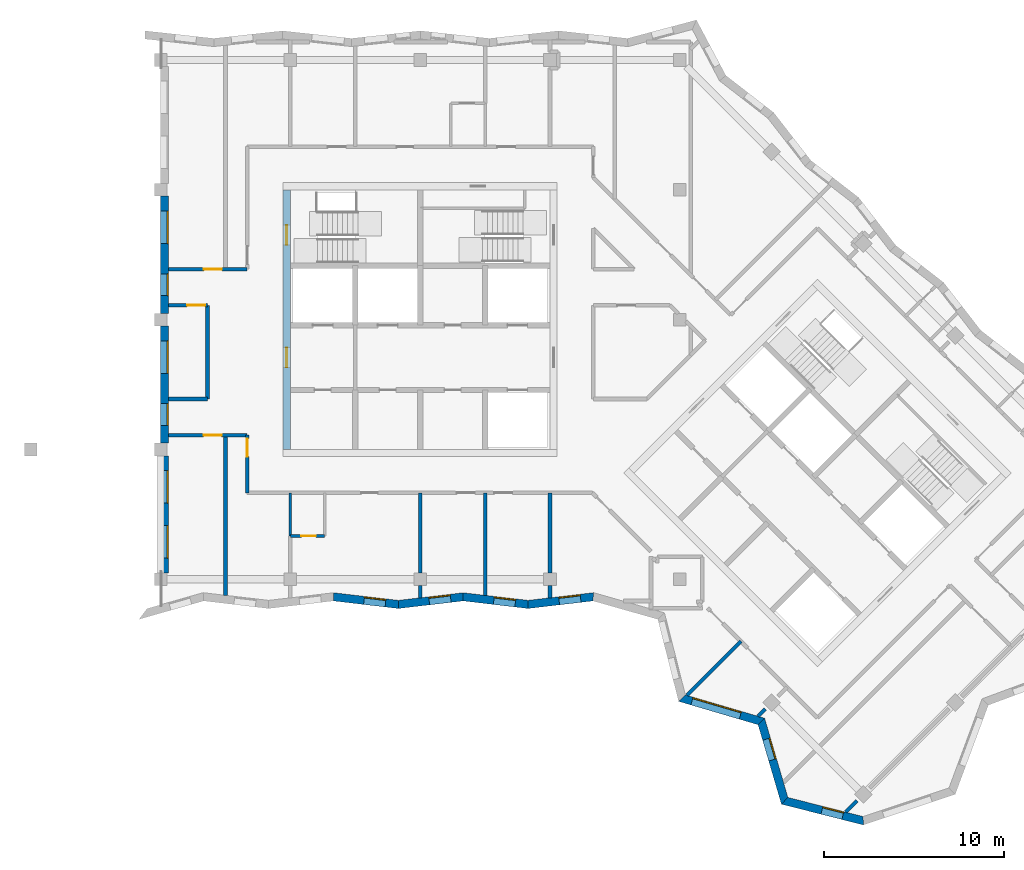
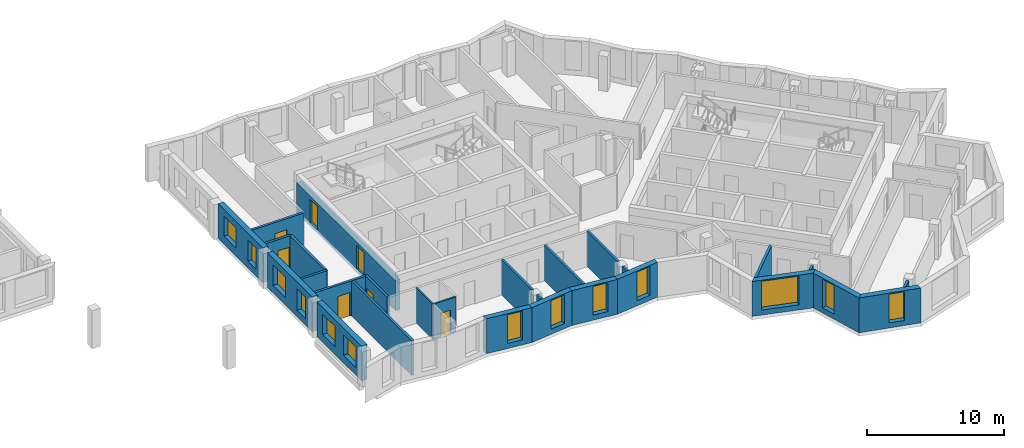
# One storey, part 2 of 12: 28 walls, 13 windows, 7 doors, 20 openings.
"""IFC4 building model written with IfcOpenShell, lengths in metres."""

from ifc_helpers import new_model, si_unit, direction, frame, frame_2d, origin, place, context, subcontext, project, spatial, polyline, rectangle, outline, extrude, material, layer, layer_set, type_object, element, fill, save


model = new_model("IFC4")

# Units and contexts
model_context = context("Model", 3, precision=1e-05, world=origin(), true_north=direction((0.0, 1.0)))
body_context = subcontext(model_context, "Body", "Model", "MODEL_VIEW")
ifc_project = project(units=[si_unit("LENGTHUNIT", "METRE"), si_unit("AREAUNIT", "SQUARE_METRE"), si_unit("VOLUMEUNIT", "CUBIC_METRE"), si_unit("PLANEANGLEUNIT", "RADIAN"), si_unit("MASSUNIT", "GRAM", prefix="KILO")], contexts=[model_context])

# Site, building, storey
site_placement = place(None, origin())
site = spatial("IfcSite", under=ifc_project, at=site_placement, CompositionType="ELEMENT")
building_placement = place(site_placement, origin())
building = spatial("IfcBuilding", under=site, at=building_placement, Name="Windrow Commons", CompositionType="ELEMENT")
storey_placement = place(building_placement, frame((0.0, 0.0, 257.4)))
storey = spatial("IfcBuildingStorey", under=building, at=storey_placement, Name="L70", CompositionType="ELEMENT", Elevation=257.4)

# Wall, opening, window
ifc_material_1 = material(Name="Brick masonry, red clay brick", Category="masonry")
ifc_layer_1 = layer(ifc_material_1, 0.45)
ifc_layer_set_1 = layer_set([ifc_layer_1], Name="Brick facade wall 450")
wall_type_1 = type_object("IfcWallType", Name="Brick facade wall 450", PredefinedType="SOLIDWALL", material=ifc_layer_set_1)
wall_1_placement = place(storey_placement, frame((59.9913, 42.2265, 0.0), z_axis=(0.0, 0.0, 1.0), x_axis=(0.9932209116, -0.1162420782, 0.0)))
wall_1 = element("IfcWall", 1, at=wall_1_placement, inside=storey, type_object=wall_type_1, Name="Brick facade wall L70 41", PredefinedType="SOLIDWALL", context=body_context, shape_type="SweptSolid", body=[
    extrude(outline(polyline([(0.0263, -0.225), (3.648, -0.225), (3.5953, 0.225), (-0.0263, 0.225), (0.0263, -0.225)])), origin(), (0.0, 0.0, 1.0), 3.1),
])
opening_1_placement = place(wall_1_placement, frame((1.7061, 0.0, 0.45)))
opening_1 = element("IfcOpeningElement", 2, at=opening_1_placement, cuts=wall_1, Name="Opening W7F", PredefinedType="OPENING", context=body_context, shape_type="SweptSolid", body=[
    extrude(rectangle(XDim=1.2, YDim=2.55, at=frame_2d((0.6, 1.275))), frame((0.0, 0.235, 0.0), z_axis=(0.0, -1.0, 0.0), x_axis=(1.0, 0.0, 0.0)), (0.0, 0.0, 1.0), 0.47),
])
ifc_material_2 = material(Name="Clear float glass in anodised aluminium frame", Category="aluminium")
window_type_1 = type_object("IfcWindowType", Name="Window W7 notch 1200x2550", PartitioningType="SINGLE_PANEL", PredefinedType="WINDOW", material=ifc_material_2)
window_1_placement = place(opening_1_placement, origin())
window_1 = element("IfcWindow", 3, at=window_1_placement, inside=storey, type_object=window_type_1, Name="Window L70 41.1", OverallHeight=2.55, OverallWidth=1.2, PartitioningType="SINGLE_PANEL", PredefinedType="WINDOW", context=body_context, shape_type="SweptSolid", body=[
    extrude(rectangle(XDim=1.2, YDim=2.55, at=frame_2d((0.6, 1.275))), frame((0.0, 0.205, 0.0), z_axis=(0.0, -1.0, 0.0), x_axis=(1.0, 0.0, 0.0)), (0.0, 0.0, 1.0), 0.06),
])
fill(opening_1, window_1)

wall_2_placement = place(storey_placement, frame((63.5885, 41.8055, 0.0), z_axis=(0.0, 0.0, 1.0), x_axis=(0.9932205385, 0.1162452661, 0.0)))
wall_2 = element("IfcWall", 4, at=wall_2_placement, inside=storey, type_object=wall_type_1, Name="Brick facade wall L70 42", PredefinedType="SOLIDWALL", context=body_context, shape_type="SweptSolid", body=[
    extrude(outline(polyline([(-0.0263, -0.225), (3.5953, -0.225), (3.648, 0.225), (0.0263, 0.225), (-0.0263, -0.225)])), origin(), (0.0, 0.0, 1.0), 3.1),
])
opening_2_placement = place(wall_2_placement, frame((1.7207, 0.0, 0.45)))
opening_2 = element("IfcOpeningElement", 5, at=opening_2_placement, cuts=wall_2, Name="Opening W7F", PredefinedType="OPENING", context=body_context, shape_type="SweptSolid", body=[
    extrude(rectangle(XDim=1.2, YDim=2.55, at=frame_2d((0.6, 1.275))), frame((0.0, 0.235, 0.0), z_axis=(0.0, -1.0, 0.0), x_axis=(1.0, 0.0, 0.0)), (0.0, 0.0, 1.0), 0.47),
])
window_2_placement = place(opening_2_placement, origin())
window_2 = element("IfcWindow", 6, at=window_2_placement, inside=storey, type_object=window_type_1, Name="Window L70 42.1", OverallHeight=2.55, OverallWidth=1.2, PartitioningType="SINGLE_PANEL", PredefinedType="WINDOW", context=body_context, shape_type="SweptSolid", body=[
    extrude(rectangle(XDim=1.2, YDim=2.55, at=frame_2d((0.6, 1.275))), frame((0.0, 0.205, 0.0), z_axis=(0.0, -1.0, 0.0), x_axis=(1.0, 0.0, 0.0)), (0.0, 0.0, 1.0), 0.06),
])
fill(opening_2, window_2)

wall_3_placement = place(storey_placement, frame((67.1856, 42.2265, 0.0), z_axis=(0.0, 0.0, 1.0), x_axis=(0.9932205385, -0.1162452661, 0.0)))
wall_3 = element("IfcWall", 7, at=wall_3_placement, inside=storey, type_object=wall_type_1, Name="Brick facade wall L70 43", PredefinedType="SOLIDWALL", context=body_context, shape_type="SweptSolid", body=[
    extrude(outline(polyline([(0.0263, -0.225), (3.648, -0.225), (3.5953, 0.225), (-0.0263, 0.225), (0.0263, -0.225)])), origin(), (0.0, 0.0, 1.0), 3.1),
])
opening_3_placement = place(wall_3_placement, frame((1.709, 0.0, 0.45)))
opening_3 = element("IfcOpeningElement", 8, at=opening_3_placement, cuts=wall_3, Name="Opening W7F", PredefinedType="OPENING", context=body_context, shape_type="SweptSolid", body=[
    extrude(rectangle(XDim=1.2, YDim=2.55, at=frame_2d((0.6, 1.275))), frame((0.0, 0.235, 0.0), z_axis=(0.0, -1.0, 0.0), x_axis=(1.0, 0.0, 0.0)), (0.0, 0.0, 1.0), 0.47),
])
window_3_placement = place(opening_3_placement, origin())
window_3 = element("IfcWindow", 9, at=window_3_placement, inside=storey, type_object=window_type_1, Name="Window L70 43.1", OverallHeight=2.55, OverallWidth=1.2, PartitioningType="SINGLE_PANEL", PredefinedType="WINDOW", context=body_context, shape_type="SweptSolid", body=[
    extrude(rectangle(XDim=1.2, YDim=2.55, at=frame_2d((0.6, 1.275))), frame((0.0, 0.205, 0.0), z_axis=(0.0, -1.0, 0.0), x_axis=(1.0, 0.0, 0.0)), (0.0, 0.0, 1.0), 0.06),
])
fill(opening_3, window_3)

wall_4_placement = place(storey_placement, frame((70.7827, 41.8055, 0.0), z_axis=(0.0, 0.0, 1.0), x_axis=(0.9932186927, 0.1162610363, 0.0)))
wall_4 = element("IfcWall", 10, at=wall_4_placement, inside=storey, type_object=wall_type_1, Name="Brick facade wall L70 44", PredefinedType="SOLIDWALL", context=body_context, shape_type="SweptSolid", body=[
    extrude(outline(polyline([(-0.0263, -0.225), (3.5953, -0.225), (3.6849, 0.225), (0.0263, 0.225), (-0.0263, -0.225)])), origin(), (0.0, 0.0, 1.0), 3.1),
])
opening_4_placement = place(wall_4_placement, frame((1.7329, 0.0, 0.45)))
opening_4 = element("IfcOpeningElement", 11, at=opening_4_placement, cuts=wall_4, Name="Opening W7F", PredefinedType="OPENING", context=body_context, shape_type="SweptSolid", body=[
    extrude(rectangle(XDim=1.2, YDim=2.55, at=frame_2d((0.6, 1.275))), frame((0.0, 0.235, 0.0), z_axis=(0.0, -1.0, 0.0), x_axis=(1.0, 0.0, 0.0)), (0.0, 0.0, 1.0), 0.47),
])
window_4_placement = place(opening_4_placement, origin())
window_4 = element("IfcWindow", 12, at=window_4_placement, inside=storey, type_object=window_type_1, Name="Window L70 44.1", OverallHeight=2.55, OverallWidth=1.2, PartitioningType="SINGLE_PANEL", PredefinedType="WINDOW", context=body_context, shape_type="SweptSolid", body=[
    extrude(rectangle(XDim=1.2, YDim=2.55, at=frame_2d((0.6, 1.275))), frame((0.0, 0.205, 0.0), z_axis=(0.0, -1.0, 0.0), x_axis=(1.0, 0.0, 0.0)), (0.0, 0.0, 1.0), 0.06),
])
fill(opening_4, window_4)

wall_5_placement = place(storey_placement, frame((79.3177, 36.6103, 0.0), z_axis=(0.0, 0.0, 1.0), x_axis=(0.9593901398, -0.2820825406, 0.0)))
wall_5 = element("IfcWall", 13, at=wall_5_placement, inside=storey, type_object=wall_type_1, Name="Brick facade wall L70 47", PredefinedType="SOLIDWALL", context=body_context, shape_type="SweptSolid", body=[
    extrude(outline(polyline([(-0.1283, -0.225), (4.4652, -0.225), (4.7108, 0.225), (0.1283, 0.225), (-0.1283, -0.225)])), origin(), (0.0, 0.0, 1.0), 3.1),
])
opening_5_placement = place(wall_5_placement, frame((0.579, 0.0, 0.45)))
opening_5 = element("IfcOpeningElement", 14, at=opening_5_placement, cuts=wall_5, Name="Opening W1V", PredefinedType="OPENING", context=body_context, shape_type="SweptSolid", body=[
    extrude(rectangle(XDim=2.8, YDim=2.55, at=frame_2d((1.4, 1.275))), frame((0.0, 0.235, 0.0), z_axis=(0.0, -1.0, 0.0), x_axis=(1.0, 0.0, 0.0)), (0.0, 0.0, 1.0), 0.47),
])
ifc_material_3 = material(Name="Clear float glass in anodised aluminium frame", Category="aluminium")
window_type_2 = type_object("IfcWindowType", Name="Window W1V bedroom 2800x2550", PartitioningType="SINGLE_PANEL", PredefinedType="WINDOW", material=ifc_material_3)
window_5_placement = place(opening_5_placement, origin())
window_5 = element("IfcWindow", 15, at=window_5_placement, inside=storey, type_object=window_type_2, Name="Window L70 47.1", OverallHeight=2.55, OverallWidth=2.8, PartitioningType="SINGLE_PANEL", PredefinedType="WINDOW", context=body_context, shape_type="SweptSolid", body=[
    extrude(rectangle(XDim=2.8, YDim=2.55, at=frame_2d((1.4, 1.275))), frame((0.0, 0.205, 0.0), z_axis=(0.0, -1.0, 0.0), x_axis=(1.0, 0.0, 0.0)), (0.0, 0.0, 1.0), 0.06),
])
fill(opening_5, window_5)

wall_6_placement = place(storey_placement, frame((83.7194, 35.3161, 0.0), z_axis=(0.0, 0.0, 1.0), x_axis=(0.2820825406, -0.9593901398, 0.0)))
wall_6 = element("IfcWall", 16, at=wall_6_placement, inside=storey, type_object=wall_type_1, Name="Brick facade wall L70 48", PredefinedType="SOLIDWALL", context=body_context, shape_type="SweptSolid", body=[
    extrude(outline(polyline([(0.1228, -0.225), (4.7163, -0.225), (4.4597, 0.225), (-0.1228, 0.225), (0.1228, -0.225)])), origin(), (0.0, 0.0, 1.0), 3.1),
])
opening_6_placement = place(wall_6_placement, frame((1.0198, 0.0, 0.45)))
opening_6 = element("IfcOpeningElement", 17, at=opening_6_placement, cuts=wall_6, Name="Opening W7F", PredefinedType="OPENING", context=body_context, shape_type="SweptSolid", body=[
    extrude(rectangle(XDim=1.2, YDim=2.55, at=frame_2d((0.6, 1.275))), frame((0.0, 0.235, 0.0), z_axis=(0.0, -1.0, 0.0), x_axis=(1.0, 0.0, 0.0)), (0.0, 0.0, 1.0), 0.47),
])
window_6_placement = place(opening_6_placement, origin())
window_6 = element("IfcWindow", 18, at=window_6_placement, inside=storey, type_object=window_type_1, Name="Window L70 48.1", OverallHeight=2.55, OverallWidth=1.2, PartitioningType="SINGLE_PANEL", PredefinedType="WINDOW", context=body_context, shape_type="SweptSolid", body=[
    extrude(rectangle(XDim=1.2, YDim=2.55, at=frame_2d((0.6, 1.275))), frame((0.0, 0.205, 0.0), z_axis=(0.0, -1.0, 0.0), x_axis=(1.0, 0.0, 0.0)), (0.0, 0.0, 1.0), 0.06),
])
fill(opening_6, window_6)

wall_7_placement = place(storey_placement, frame((85.0136, 30.9144, 0.0), z_axis=(0.0, 0.0, 1.0), x_axis=(0.9692746151, -0.2459811384, 0.0)))
wall_7 = element("IfcWall", 19, at=wall_7_placement, inside=storey, type_object=wall_type_1, Name="Brick facade wall L70 49", PredefinedType="SOLIDWALL", context=body_context, shape_type="SweptSolid", body=[
    extrude(outline(polyline([(-0.1283, -0.225), (4.5643, -0.225), (4.4324, 0.225), (0.1283, 0.225), (-0.1283, -0.225)])), origin(), (0.0, 0.0, 1.0), 3.1),
])
opening_7_placement = place(wall_7_placement, frame((2.1314, 0.0, 0.45)))
opening_7 = element("IfcOpeningElement", 20, at=opening_7_placement, cuts=wall_7, Name="Opening W7F", PredefinedType="OPENING", context=body_context, shape_type="SweptSolid", body=[
    extrude(rectangle(XDim=1.2, YDim=2.55, at=frame_2d((0.6, 1.275))), frame((0.0, 0.235, 0.0), z_axis=(0.0, -1.0, 0.0), x_axis=(1.0, 0.0, 0.0)), (0.0, 0.0, 1.0), 0.47),
])
window_7_placement = place(opening_7_placement, origin())
window_7 = element("IfcWindow", 21, at=window_7_placement, inside=storey, type_object=window_type_1, Name="Window L70 49.1", OverallHeight=2.55, OverallWidth=1.2, PartitioningType="SINGLE_PANEL", PredefinedType="WINDOW", context=body_context, shape_type="SweptSolid", body=[
    extrude(rectangle(XDim=1.2, YDim=2.55, at=frame_2d((0.6, 1.275))), frame((0.0, 0.205, 0.0), z_axis=(0.0, -1.0, 0.0), x_axis=(1.0, 0.0, 0.0)), (0.0, 0.0, 1.0), 0.06),
])
fill(opening_7, window_7)

# Wall, openings, windows
wall_8_placement = place(storey_placement, frame((50.625, 64.45, 0.0), z_axis=(0.0, 0.0, 1.0), x_axis=(0.0, -1.0, 0.0)))
wall_8 = element("IfcWall", 22, at=wall_8_placement, inside=storey, type_object=wall_type_1, Name="Brick portal return L70 12.2", PredefinedType="SOLIDWALL", context=body_context, shape_type="SweptSolid", body=[
    extrude(rectangle(XDim=6.5, YDim=0.45, at=frame_2d((3.25, 0.0))), origin(), (0.0, 0.0, 1.0), 3.1),
])
opening_8_placement = place(wall_8_placement, frame((0.825, 0.0, 0.7)))
opening_8 = element("IfcOpeningElement", 23, at=opening_8_placement, cuts=wall_8, Name="Opening W8", PredefinedType="OPENING", context=body_context, shape_type="SweptSolid", body=[
    extrude(rectangle(XDim=1.8, YDim=1.8, at=frame_2d((0.9, 0.9))), frame((0.0, 0.235, 0.0), z_axis=(0.0, -1.0, 0.0), x_axis=(1.0, 0.0, 0.0)), (0.0, 0.0, 1.0), 0.47),
])
opening_9_placement = place(wall_8_placement, frame((4.3125, 0.0, 0.6)))
opening_9 = element("IfcOpeningElement", 24, at=opening_9_placement, cuts=wall_8, Name="Opening W7G", PredefinedType="OPENING", context=body_context, shape_type="SweptSolid", body=[
    extrude(rectangle(XDim=1.2, YDim=1.9, at=frame_2d((0.6, 0.95))), frame((0.0, 0.235, 0.0), z_axis=(0.0, -1.0, 0.0), x_axis=(1.0, 0.0, 0.0)), (0.0, 0.0, 1.0), 0.47),
])
ifc_material_4 = material(Name="Clear float glass in anodised aluminium frame", Category="aluminium")
window_type_3 = type_object("IfcWindowType", Name="Window W7 notch 1200x1900", PartitioningType="SINGLE_PANEL", PredefinedType="WINDOW", material=ifc_material_4)
window_8_placement = place(opening_9_placement, origin())
window_8 = element("IfcWindow", 25, at=window_8_placement, inside=storey, type_object=window_type_3, Name="Window L70 portal 12.2.2A", OverallHeight=1.9, OverallWidth=1.2, PartitioningType="SINGLE_PANEL", PredefinedType="WINDOW", context=body_context, shape_type="SweptSolid", body=[
    extrude(rectangle(XDim=1.2, YDim=1.9, at=frame_2d((0.6, 0.95))), frame((0.0, 0.205, 0.0), z_axis=(0.0, -1.0, 0.0), x_axis=(1.0, 0.0, 0.0)), (0.0, 0.0, 1.0), 0.06),
])
fill(opening_9, window_8)
ifc_material_5 = material(Name="Clear float glass in anodised aluminium frame", Category="aluminium")
window_type_4 = type_object("IfcWindowType", Name="Window W8 portal 1800x1800", PartitioningType="SINGLE_PANEL", PredefinedType="WINDOW", material=ifc_material_5)
window_9_placement = place(opening_8_placement, origin())
window_9 = element("IfcWindow", 26, at=window_9_placement, inside=storey, type_object=window_type_4, Name="Window L70 portal 12.2.1", OverallHeight=1.8, OverallWidth=1.8, PartitioningType="SINGLE_PANEL", PredefinedType="WINDOW", context=body_context, shape_type="SweptSolid", body=[
    extrude(rectangle(XDim=1.8, YDim=1.8, at=frame_2d((0.9, 0.9))), frame((0.0, 0.205, 0.0), z_axis=(0.0, -1.0, 0.0), x_axis=(1.0, 0.0, 0.0)), (0.0, 0.0, 1.0), 0.06),
])
fill(opening_8, window_9)

wall_9_placement = place(storey_placement, frame((50.625, 57.25, 0.0), z_axis=(0.0, 0.0, 1.0), x_axis=(0.0, -1.0, 0.0)))
wall_9 = element("IfcWall", 27, at=wall_9_placement, inside=storey, type_object=wall_type_1, Name="Brick portal return L70 12.3", PredefinedType="SOLIDWALL", context=body_context, shape_type="SweptSolid", body=[
    extrude(rectangle(XDim=6.5, YDim=0.45, at=frame_2d((3.25, 0.0))), origin(), (0.0, 0.0, 1.0), 3.1),
])
opening_10_placement = place(wall_9_placement, frame((0.825, 0.0, 0.7)))
opening_10 = element("IfcOpeningElement", 28, at=opening_10_placement, cuts=wall_9, Name="Opening W8", PredefinedType="OPENING", context=body_context, shape_type="SweptSolid", body=[
    extrude(rectangle(XDim=1.8, YDim=1.8, at=frame_2d((0.9, 0.9))), frame((0.0, 0.235, 0.0), z_axis=(0.0, -1.0, 0.0), x_axis=(1.0, 0.0, 0.0)), (0.0, 0.0, 1.0), 0.47),
])
opening_11_placement = place(wall_9_placement, frame((4.3125, 0.0, 0.6)))
opening_11 = element("IfcOpeningElement", 29, at=opening_11_placement, cuts=wall_9, Name="Opening W7G", PredefinedType="OPENING", context=body_context, shape_type="SweptSolid", body=[
    extrude(rectangle(XDim=1.2, YDim=1.9, at=frame_2d((0.6, 0.95))), frame((0.0, 0.235, 0.0), z_axis=(0.0, -1.0, 0.0), x_axis=(1.0, 0.0, 0.0)), (0.0, 0.0, 1.0), 0.47),
])
window_10_placement = place(opening_11_placement, origin())
window_10 = element("IfcWindow", 30, at=window_10_placement, inside=storey, type_object=window_type_3, Name="Window L70 portal 12.3.2A", OverallHeight=1.9, OverallWidth=1.2, PartitioningType="SINGLE_PANEL", PredefinedType="WINDOW", context=body_context, shape_type="SweptSolid", body=[
    extrude(rectangle(XDim=1.2, YDim=1.9, at=frame_2d((0.6, 0.95))), frame((0.0, 0.205, 0.0), z_axis=(0.0, -1.0, 0.0), x_axis=(1.0, 0.0, 0.0)), (0.0, 0.0, 1.0), 0.06),
])
fill(opening_11, window_10)
window_11_placement = place(opening_10_placement, origin())
window_11 = element("IfcWindow", 31, at=window_11_placement, inside=storey, type_object=window_type_4, Name="Window L70 portal 12.3.1", OverallHeight=1.8, OverallWidth=1.8, PartitioningType="SINGLE_PANEL", PredefinedType="WINDOW", context=body_context, shape_type="SweptSolid", body=[
    extrude(rectangle(XDim=1.8, YDim=1.8, at=frame_2d((0.9, 0.9))), frame((0.0, 0.205, 0.0), z_axis=(0.0, -1.0, 0.0), x_axis=(1.0, 0.0, 0.0)), (0.0, 0.0, 1.0), 0.06),
])
fill(opening_10, window_11)

wall_10_placement = place(storey_placement, frame((50.625, 50.05, 0.0), z_axis=(0.0, 0.0, 1.0), x_axis=(0.0, -1.0, 0.0)))
wall_10 = element("IfcWall", 32, at=wall_10_placement, inside=storey, type_object=wall_type_1, Name="Brick portal return L70 12.4", PredefinedType="SOLIDWALL", context=body_context, shape_type="SweptSolid", body=[
    extrude(rectangle(XDim=6.5, YDim=0.45, at=frame_2d((3.25, 0.0))), origin(), (0.0, 0.0, 1.0), 3.1),
])
opening_12_placement = place(wall_10_placement, frame((0.825, 0.0, 0.7)))
opening_12 = element("IfcOpeningElement", 33, at=opening_12_placement, cuts=wall_10, Name="Opening W8", PredefinedType="OPENING", context=body_context, shape_type="SweptSolid", body=[
    extrude(rectangle(XDim=1.8, YDim=1.8, at=frame_2d((0.9, 0.9))), frame((0.0, 0.235, 0.0), z_axis=(0.0, -1.0, 0.0), x_axis=(1.0, 0.0, 0.0)), (0.0, 0.0, 1.0), 0.47),
])
opening_13_placement = place(wall_10_placement, frame((3.875, 0.0, 0.7)))
opening_13 = element("IfcOpeningElement", 34, at=opening_13_placement, cuts=wall_10, Name="Opening W8", PredefinedType="OPENING", context=body_context, shape_type="SweptSolid", body=[
    extrude(rectangle(XDim=1.8, YDim=1.8, at=frame_2d((0.9, 0.9))), frame((0.0, 0.235, 0.0), z_axis=(0.0, -1.0, 0.0), x_axis=(1.0, 0.0, 0.0)), (0.0, 0.0, 1.0), 0.47),
])
window_12_placement = place(opening_12_placement, origin())
window_12 = element("IfcWindow", 35, at=window_12_placement, inside=storey, type_object=window_type_4, Name="Window L70 portal 12.4.1", OverallHeight=1.8, OverallWidth=1.8, PartitioningType="SINGLE_PANEL", PredefinedType="WINDOW", context=body_context, shape_type="SweptSolid", body=[
    extrude(rectangle(XDim=1.8, YDim=1.8, at=frame_2d((0.9, 0.9))), frame((0.0, 0.205, 0.0), z_axis=(0.0, -1.0, 0.0), x_axis=(1.0, 0.0, 0.0)), (0.0, 0.0, 1.0), 0.06),
])
fill(opening_12, window_12)
window_13_placement = place(opening_13_placement, origin())
window_13 = element("IfcWindow", 36, at=window_13_placement, inside=storey, type_object=window_type_4, Name="Window L70 portal 12.4.2", OverallHeight=1.8, OverallWidth=1.8, PartitioningType="SINGLE_PANEL", PredefinedType="WINDOW", context=body_context, shape_type="SweptSolid", body=[
    extrude(rectangle(XDim=1.8, YDim=1.8, at=frame_2d((0.9, 0.9))), frame((0.0, 0.205, 0.0), z_axis=(0.0, -1.0, 0.0), x_axis=(1.0, 0.0, 0.0)), (0.0, 0.0, 1.0), 0.06),
])
fill(opening_13, window_13)

# Wall
ifc_material_6 = material(Name="Blockwork partition", Category="masonry")
ifc_layer_2 = layer(ifc_material_6, 0.2)
ifc_layer_set_2 = layer_set([ifc_layer_2], Name="IW-CORRIDOR-200")
wall_type_2 = type_object("IfcWallType", Name="IW-CORRIDOR-200", PredefinedType="PARTITIONING", material=ifc_layer_set_2)
wall_11_placement = place(storey_placement, frame((53.0, 53.202, 0.0), z_axis=(0.0, 0.0, 1.0), x_axis=(0.0, 1.0, 0.0)))
element("IfcWall", 37, at=wall_11_placement, inside=storey, type_object=wall_type_2, Name="W-L70-W018", PredefinedType="PARTITIONING", context=body_context, shape_type="SweptSolid", body=[
    extrude(rectangle(XDim=5.198, YDim=0.2, at=frame_2d((2.599, 0.0))), origin(), (0.0, 0.0, 1.0), 3.1),
])

# Wall, opening, door
wall_12_placement = place(storey_placement, frame((50.85, 51.2, 0.0), z_axis=(0.0, 0.0, 1.0), x_axis=(1.0, 0.0, 0.0)))
wall_12 = element("IfcWall", 38, at=wall_12_placement, inside=storey, type_object=wall_type_2, Name="W-L70-W028", PredefinedType="PARTITIONING", context=body_context, shape_type="SweptSolid", body=[
    extrude(rectangle(XDim=4.35, YDim=0.2, at=frame_2d((2.175, 0.0))), origin(), (0.0, 0.0, 1.0), 3.1),
])
opening_14_placement = place(wall_12_placement, frame((1.9314, 0.0, 0.0)))
opening_14 = element("IfcOpeningElement", 39, at=opening_14_placement, cuts=wall_12, Name="Opening D310F", PredefinedType="OPENING", context=body_context, shape_type="SweptSolid", body=[
    extrude(rectangle(XDim=1.0, YDim=2.1, at=frame_2d((0.5, 1.05))), frame((0.0, 0.11, 0.0), z_axis=(0.0, -1.0, 0.0), x_axis=(1.0, 0.0, 0.0)), (0.0, 0.0, 1.0), 0.22),
])
ifc_material_7 = material(Name="Timber door leaf", Category="wood")
door_type_1 = type_object("IfcDoorType", Name="DT-AMENITY-1000", OperationType="SINGLE_SWING_LEFT", PredefinedType="DOOR", material=ifc_material_7)
door_1_placement = place(opening_14_placement, origin())
door_1 = element("IfcDoor", 40, at=door_1_placement, inside=storey, type_object=door_type_1, Name="D-L70-D000", OperationType="SINGLE_SWING_LEFT", OverallHeight=2.1, OverallWidth=1.0, PredefinedType="DOOR", context=body_context, shape_type="SweptSolid", body=[
    extrude(rectangle(XDim=1.0, YDim=2.1, at=frame_2d((0.5, 1.05))), frame((0.0, 0.025, 0.0), z_axis=(0.0, -1.0, 0.0), x_axis=(1.0, 0.0, 0.0)), (0.0, 0.0, 1.0), 0.05),
])
fill(opening_14, door_1)

wall_13_placement = place(storey_placement, frame((50.85, 60.4, 0.0), z_axis=(0.0, 0.0, 1.0), x_axis=(1.0, 0.0, 0.0)))
wall_13 = element("IfcWall", 41, at=wall_13_placement, inside=storey, type_object=wall_type_2, Name="W-L70-W029", PredefinedType="PARTITIONING", context=body_context, shape_type="SweptSolid", body=[
    extrude(rectangle(XDim=4.35, YDim=0.2, at=frame_2d((2.175, 0.0))), origin(), (0.0, 0.0, 1.0), 3.1),
])
opening_15_placement = place(wall_13_placement, frame((1.9457, 0.0, 0.0)))
opening_15 = element("IfcOpeningElement", 42, at=opening_15_placement, cuts=wall_13, Name="Opening D310F", PredefinedType="OPENING", context=body_context, shape_type="SweptSolid", body=[
    extrude(rectangle(XDim=1.0, YDim=2.1, at=frame_2d((0.5, 1.05))), frame((0.0, 0.11, 0.0), z_axis=(0.0, -1.0, 0.0), x_axis=(1.0, 0.0, 0.0)), (0.0, 0.0, 1.0), 0.22),
])
door_2_placement = place(opening_15_placement, origin())
door_2 = element("IfcDoor", 43, at=door_2_placement, inside=storey, type_object=door_type_1, Name="D-L70-D009", OperationType="SINGLE_SWING_RIGHT", OverallHeight=2.1, OverallWidth=1.0, PredefinedType="DOOR", context=body_context, shape_type="SweptSolid", body=[
    extrude(rectangle(XDim=1.0, YDim=2.1, at=frame_2d((0.5, 1.05))), frame((0.0, 0.025, 0.0), z_axis=(0.0, -1.0, 0.0), x_axis=(1.0, 0.0, 0.0)), (0.0, 0.0, 1.0), 0.05),
])
fill(opening_15, door_2)

wall_14_placement = place(storey_placement, frame((55.2, 48.0, 0.0), z_axis=(0.0, 0.0, 1.0), x_axis=(0.0, 1.0, 0.0)))
wall_14 = element("IfcWall", 44, at=wall_14_placement, inside=storey, type_object=wall_type_2, Name="W-L70-W035", PredefinedType="PARTITIONING", context=body_context, shape_type="SweptSolid", body=[
    extrude(rectangle(XDim=3.2, YDim=0.2, at=frame_2d((1.6, 0.0))), origin(), (0.0, 0.0, 1.0), 3.1),
])
opening_16_placement = place(wall_14_placement, frame((2.0043, 0.0, 0.0)))
opening_16 = element("IfcOpeningElement", 45, at=opening_16_placement, cuts=wall_14, Name="Opening D310F", PredefinedType="OPENING", context=body_context, shape_type="SweptSolid", body=[
    extrude(rectangle(XDim=1.0, YDim=2.1, at=frame_2d((0.5, 1.05))), frame((0.0, 0.11, 0.0), z_axis=(0.0, -1.0, 0.0), x_axis=(1.0, 0.0, 0.0)), (0.0, 0.0, 1.0), 0.22),
])
door_3_placement = place(opening_16_placement, origin())
door_3 = element("IfcDoor", 46, at=door_3_placement, inside=storey, type_object=door_type_1, Name="D-L70-D001", OperationType="SINGLE_SWING_RIGHT", OverallHeight=2.1, OverallWidth=1.0, PredefinedType="DOOR", context=body_context, shape_type="SweptSolid", body=[
    extrude(rectangle(XDim=1.0, YDim=2.1, at=frame_2d((0.5, 1.05))), frame((0.0, 0.025, 0.0), z_axis=(0.0, -1.0, 0.0), x_axis=(1.0, 0.0, 0.0)), (0.0, 0.0, 1.0), 0.05),
])
fill(opening_16, door_3)

# Wall
wall_15_placement = place(storey_placement, frame((50.85, 53.2, 0.0), z_axis=(0.0, 0.0, 1.0), x_axis=(1.0, 0.0, 0.0)))
element("IfcWall", 47, at=wall_15_placement, inside=storey, type_object=wall_type_2, Name="W-L70-W061", PredefinedType="PARTITIONING", context=body_context, shape_type="SweptSolid", body=[
    extrude(rectangle(XDim=2.15, YDim=0.2, at=frame_2d((1.075, 0.0))), origin(), (0.0, 0.0, 1.0), 3.1),
])

# Wall, opening, door
wall_16_placement = place(storey_placement, frame((50.85, 58.4, 0.0), z_axis=(0.0, 0.0, 1.0), x_axis=(1.0, 0.0, 0.0)))
wall_16 = element("IfcWall", 48, at=wall_16_placement, inside=storey, type_object=wall_type_2, Name="W-L70-W062", PredefinedType="PARTITIONING", context=body_context, shape_type="SweptSolid", body=[
    extrude(rectangle(XDim=2.15, YDim=0.2, at=frame_2d((1.075, 0.0))), origin(), (0.0, 0.0, 1.0), 3.1),
])
opening_17_placement = place(wall_16_placement, frame((1.0186, 0.0, 0.0)))
opening_17 = element("IfcOpeningElement", 49, at=opening_17_placement, cuts=wall_16, Name="Opening D410F", PredefinedType="OPENING", context=body_context, shape_type="SweptSolid", body=[
    extrude(rectangle(XDim=1.0, YDim=2.1, at=frame_2d((0.5, 1.05))), frame((0.0, 0.11, 0.0), z_axis=(0.0, -1.0, 0.0), x_axis=(1.0, 0.0, 0.0)), (0.0, 0.0, 1.0), 0.22),
])
ifc_material_8 = material(Name="Timber door leaf", Category="wood")
door_type_2 = type_object("IfcDoorType", Name="DT-SERVICE-1000", OperationType="SINGLE_SWING_LEFT", PredefinedType="DOOR", material=ifc_material_8)
door_4_placement = place(opening_17_placement, origin())
door_4 = element("IfcDoor", 50, at=door_4_placement, inside=storey, type_object=door_type_2, Name="D-L70-D007", OperationType="SINGLE_SWING_LEFT", OverallHeight=2.1, OverallWidth=1.0, PredefinedType="DOOR", context=body_context, shape_type="SweptSolid", body=[
    extrude(rectangle(XDim=1.0, YDim=2.1, at=frame_2d((0.5, 1.05))), frame((0.0, 0.025, 0.0), z_axis=(0.0, -1.0, 0.0), x_axis=(1.0, 0.0, 0.0)), (0.0, 0.0, 1.0), 0.05),
])
fill(opening_17, door_4)

# Wall
ifc_material_9 = material(Name="Blockwork partition", Category="masonry")
ifc_layer_3 = layer(ifc_material_9, 0.15)
ifc_layer_set_3 = layer_set([ifc_layer_3], Name="IW-ENSUITE-150")
wall_type_3 = type_object("IfcWallType", Name="IW-ENSUITE-150", PredefinedType="PARTITIONING", material=ifc_layer_set_3)
wall_17_placement = place(storey_placement, frame((57.6, 45.6, 0.0), z_axis=(0.0, 0.0, 1.0), x_axis=(0.0, 1.0, 0.0)))
element("IfcWall", 51, at=wall_17_placement, inside=storey, type_object=wall_type_3, Name="W-L70-W050", PredefinedType="PARTITIONING", context=body_context, shape_type="SweptSolid", body=[
    extrude(rectangle(XDim=2.4, YDim=0.15, at=frame_2d((1.2, 0.0))), origin(), (0.0, 0.0, 1.0), 3.1),
])

# Wall, opening, door
wall_18_placement = place(storey_placement, frame((57.6, 45.6, 0.0), z_axis=(0.0, 0.0, 1.0), x_axis=(1.0, 0.0, 0.0)))
wall_18 = element("IfcWall", 52, at=wall_18_placement, inside=storey, type_object=wall_type_3, Name="W-L70-W068", PredefinedType="PARTITIONING", context=body_context, shape_type="SweptSolid", body=[
    extrude(rectangle(XDim=1.9, YDim=0.15, at=frame_2d((0.95, 0.0))), origin(), (0.0, 0.0, 1.0), 3.1),
])
opening_18_placement = place(wall_18_placement, frame((0.6069, 0.0, 0.0)))
opening_18 = element("IfcOpeningElement", 53, at=opening_18_placement, cuts=wall_18, Name="Opening D208N", PredefinedType="OPENING", context=body_context, shape_type="SweptSolid", body=[
    extrude(rectangle(XDim=0.8, YDim=2.1, at=frame_2d((0.4, 1.05))), frame((0.0, 0.085, 0.0), z_axis=(0.0, -1.0, 0.0), x_axis=(1.0, 0.0, 0.0)), (0.0, 0.0, 1.0), 0.17),
])
ifc_material_10 = material(Name="Timber door leaf", Category="wood")
door_type_3 = type_object("IfcDoorType", Name="DT-ENSUITE-800", OperationType="SINGLE_SWING_LEFT", PredefinedType="DOOR", material=ifc_material_10)
door_5_placement = place(opening_18_placement, origin())
door_5 = element("IfcDoor", 54, at=door_5_placement, inside=storey, type_object=door_type_3, Name="D-L70-D003", OperationType="SINGLE_SWING_RIGHT", OverallHeight=2.1, OverallWidth=0.8, PredefinedType="DOOR", context=body_context, shape_type="SweptSolid", body=[
    extrude(rectangle(XDim=0.8, YDim=2.1, at=frame_2d((0.4, 1.05))), frame((0.0, 0.025, 0.0), z_axis=(0.0, -1.0, 0.0), x_axis=(1.0, 0.0, 0.0)), (0.0, 0.0, 1.0), 0.05),
])
fill(opening_18, door_5)

# Walls
ifc_material_11 = material(Name="Blockwork partition", Category="masonry")
ifc_layer_4 = layer(ifc_material_11, 0.2)
ifc_layer_set_4 = layer_set([ifc_layer_4], Name="IW-PARTY-200")
wall_type_4 = type_object("IfcWallType", Name="IW-PARTY-200", PredefinedType="PARTITIONING", material=ifc_layer_set_4)
wall_19_placement = place(storey_placement, frame((54.0, 42.3123, 0.0), z_axis=(0.0, 0.0, 1.0), x_axis=(0.0, 1.0, 0.0)))
element("IfcWall", 55, at=wall_19_placement, inside=storey, type_object=wall_type_4, Name="W-L70-W008", PredefinedType="PARTITIONING", context=body_context, shape_type="SweptSolid", body=[
    extrude(rectangle(XDim=8.8877, YDim=0.2, at=frame_2d((4.4439, 0.0))), origin(), (0.0, 0.0, 1.0), 3.1),
])
wall_20_placement = place(storey_placement, frame((68.4, 42.3109, 0.0), z_axis=(0.0, 0.0, 1.0), x_axis=(0.0, 1.0, 0.0)))
element("IfcWall", 56, at=wall_20_placement, inside=storey, type_object=wall_type_4, Name="W-L70-W016", PredefinedType="PARTITIONING", context=body_context, shape_type="SweptSolid", body=[
    extrude(rectangle(XDim=5.6891, YDim=0.2, at=frame_2d((2.8445, 0.0))), origin(), (0.0, 0.0, 1.0), 3.1),
])
for number, where, z_axis, x_axis, name in (
    (57, (64.8, 43.55, 0.0), (0.0, 0.0, 1.0), (0.0, 1.0, 0.0), "W-L70-W025"),
    (58, (72.0, 43.55, 0.0), (0.0, 0.0, 1.0), (0.0, 1.0, 0.0), "W-L70-W026"),
):
    element("IfcWall", number, at=place(storey_placement, frame(where, z_axis=z_axis, x_axis=x_axis)), inside=storey, type_object=wall_type_4, Name=name, PredefinedType="PARTITIONING", context=body_context, shape_type="SweptSolid", body=[
        extrude(rectangle(XDim=4.45, YDim=0.2, at=frame_2d((2.225, 0.0))), origin(), (0.0, 0.0, 1.0), 3.1),
    ])
wall_21_placement = place(storey_placement, frame((79.5987, 36.7622, 0.0), z_axis=(0.0, 0.0, 1.0), x_axis=(0.7071185876, 0.7070949745, 0.0)))
element("IfcWall", 59, at=wall_21_placement, inside=storey, type_object=wall_type_4, Name="W-L70-W031", PredefinedType="PARTITIONING", context=body_context, shape_type="SweptSolid", body=[
    extrude(rectangle(XDim=4.2349, YDim=0.2, at=frame_2d((2.1174, 0.0))), origin(), (0.0, 0.0, 1.0), 3.1),
])
wall_22_placement = place(storey_placement, frame((88.3978, 30.2877, 0.0), z_axis=(0.0, 0.0, 1.0), x_axis=(0.7070509474, 0.7071626105, 0.0)))
element("IfcWall", 60, at=wall_22_placement, inside=storey, type_object=wall_type_4, Name="W-L70-W078", PredefinedType="PARTITIONING", context=body_context, shape_type="SweptSolid", body=[
    extrude(rectangle(XDim=0.8956, YDim=0.2, at=frame_2d((0.4478, 0.0))), origin(), (0.0, 0.0, 1.0), 3.1),
])
wall_23_placement = place(storey_placement, frame((64.8, 42.1739, 0.0), z_axis=(0.0, 0.0, 1.0), x_axis=(0.0, 1.0, 0.0)))
element("IfcWall", 61, at=wall_23_placement, inside=storey, type_object=wall_type_4, Name="W-L70-W087", PredefinedType="PARTITIONING", context=body_context, shape_type="SweptSolid", body=[
    extrude(rectangle(XDim=0.6761, YDim=0.2, at=frame_2d((0.3381, 0.0))), origin(), (0.0, 0.0, 1.0), 3.1),
])
wall_24_placement = place(storey_placement, frame((72.0, 42.1745, 0.0), z_axis=(0.0, 0.0, 1.0), x_axis=(0.0, 1.0, 0.0)))
element("IfcWall", 62, at=wall_24_placement, inside=storey, type_object=wall_type_4, Name="W-L70-W088", PredefinedType="PARTITIONING", context=body_context, shape_type="SweptSolid", body=[
    extrude(rectangle(XDim=0.6755, YDim=0.2, at=frame_2d((0.3377, 0.0))), origin(), (0.0, 0.0, 1.0), 3.1),
])
wall_25_placement = place(storey_placement, frame((83.5285, 35.6068, 0.0), z_axis=(0.0, 0.0, 1.0), x_axis=(0.7090904806, 0.7051175011, 0.0)))
element("IfcWall", 63, at=wall_25_placement, inside=storey, type_object=wall_type_4, Name="W-L70-W091", PredefinedType="PARTITIONING", context=body_context, shape_type="SweptSolid", body=[
    extrude(rectangle(XDim=0.5789, YDim=0.2, at=frame_2d((0.2894, 0.0))), origin(), (0.0, 0.0, 1.0), 3.1),
])

# Wall, openings, doors
ifc_material_12 = material(Name="Concrete C40/50", Category="concrete")
ifc_layer_5 = layer(ifc_material_12, 0.4)
ifc_layer_set_5 = layer_set([ifc_layer_5], Name="RC CORE WALL 400 C40/50")
wall_type_5 = type_object("IfcWallType", Name="RC CORE WALL 400 C40/50", PredefinedType="SHEAR", material=ifc_layer_set_5)
wall_26_placement = place(storey_placement, frame((57.4, 50.4, -0.3), z_axis=(0.0, 0.0, 1.0), x_axis=(0.0, 1.0, 0.0)))
wall_26 = element("IfcWall", 64, at=wall_26_placement, inside=storey, type_object=wall_type_5, Name="Core A wall outer-W", PredefinedType="SHEAR", context=body_context, shape_type="SweptSolid", body=[
    extrude(rectangle(XDim=14.4, YDim=0.4, at=frame_2d((7.2, 0.0))), origin(), (0.0, 0.0, 1.0), 2.7),
])
opening_19_placement = place(wall_26_placement, frame((4.55, 0.0, 0.3)))
opening_19 = element("IfcOpeningElement", 65, at=opening_19_placement, cuts=wall_26, Name="Opening D6", PredefinedType="OPENING", context=body_context, shape_type="SweptSolid", body=[
    extrude(rectangle(XDim=1.1, YDim=2.1, at=frame_2d((0.55, 1.05))), frame((0.0, 0.21, 0.0), z_axis=(0.0, -1.0, 0.0), x_axis=(1.0, 0.0, 0.0)), (0.0, 0.0, 1.0), 0.42),
])
opening_20_placement = place(wall_26_placement, frame((11.35, 0.0, 0.3)))
opening_20 = element("IfcOpeningElement", 66, at=opening_20_placement, cuts=wall_26, Name="Opening D7", PredefinedType="OPENING", context=body_context, shape_type="SweptSolid", body=[
    extrude(rectangle(XDim=1.1, YDim=2.1, at=frame_2d((0.55, 1.05))), frame((0.0, 0.21, 0.0), z_axis=(0.0, -1.0, 0.0), x_axis=(1.0, 0.0, 0.0)), (0.0, 0.0, 1.0), 0.42),
])
ifc_material_13 = material(Name="Steel fire door leaf", Category="steel")
door_type_4 = type_object("IfcDoorType", Name="Core lobby door 1100", OperationType="SINGLE_SWING_LEFT", PredefinedType="DOOR", material=ifc_material_13)
door_6_placement = place(opening_19_placement, origin())
door_6 = element("IfcDoor", 67, at=door_6_placement, inside=storey, type_object=door_type_4, Name="Lift lobby door", OperationType="DOUBLE_DOOR_SINGLE_SWING", OverallHeight=2.1, OverallWidth=1.1, PredefinedType="DOOR", context=body_context, shape_type="SweptSolid", body=[
    extrude(rectangle(XDim=1.1, YDim=2.1, at=frame_2d((0.55, 1.05))), frame((0.0, 0.025, 0.0), z_axis=(0.0, -1.0, 0.0), x_axis=(1.0, 0.0, 0.0)), (0.0, 0.0, 1.0), 0.05),
])
fill(opening_19, door_6)
ifc_material_14 = material(Name="Steel fire door leaf", Category="steel")
door_type_5 = type_object("IfcDoorType", Name="Stair door 1100", OperationType="SINGLE_SWING_LEFT", PredefinedType="DOOR", material=ifc_material_14)
door_7_placement = place(opening_20_placement, origin())
door_7 = element("IfcDoor", 68, at=door_7_placement, inside=storey, type_object=door_type_5, Name="Stair door", OperationType="SINGLE_SWING_LEFT", OverallHeight=2.1, OverallWidth=1.1, PredefinedType="DOOR", context=body_context, shape_type="SweptSolid", body=[
    extrude(rectangle(XDim=1.1, YDim=2.1, at=frame_2d((0.55, 1.05))), frame((0.0, 0.025, 0.0), z_axis=(0.0, -1.0, 0.0), x_axis=(1.0, 0.0, 0.0)), (0.0, 0.0, 1.0), 0.05),
])
fill(opening_20, door_7)

save(model, "model.ifc")
